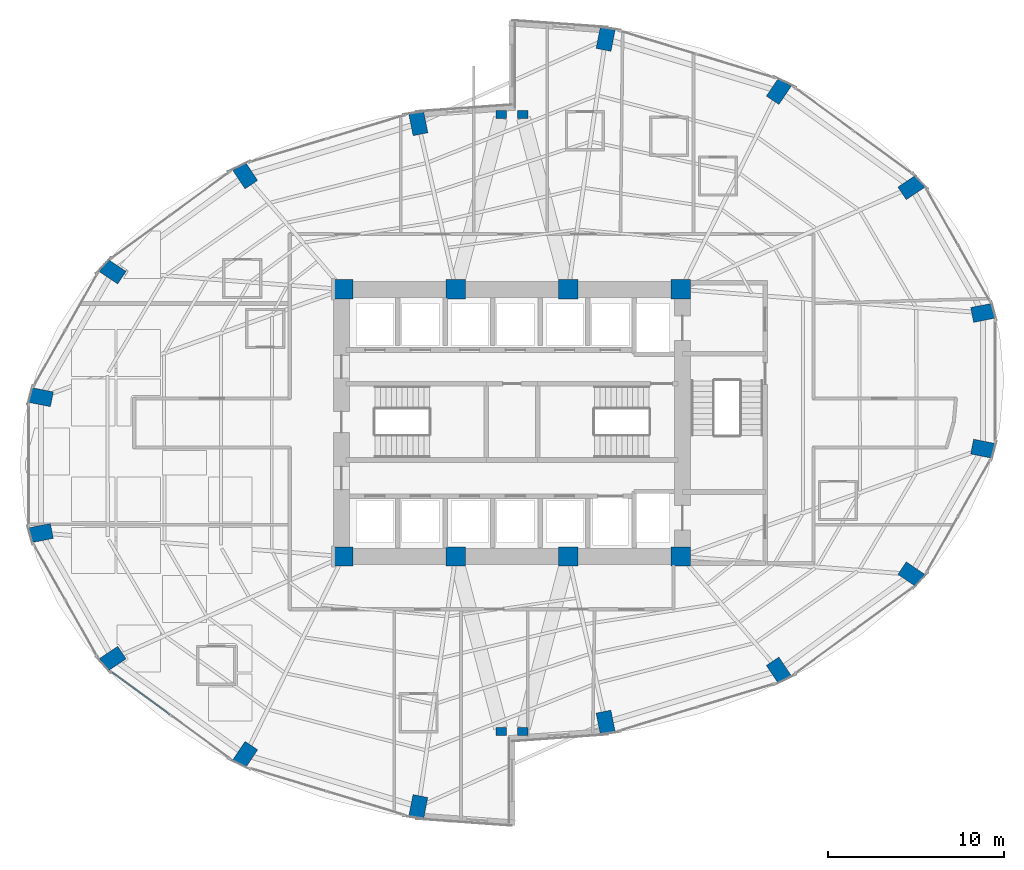
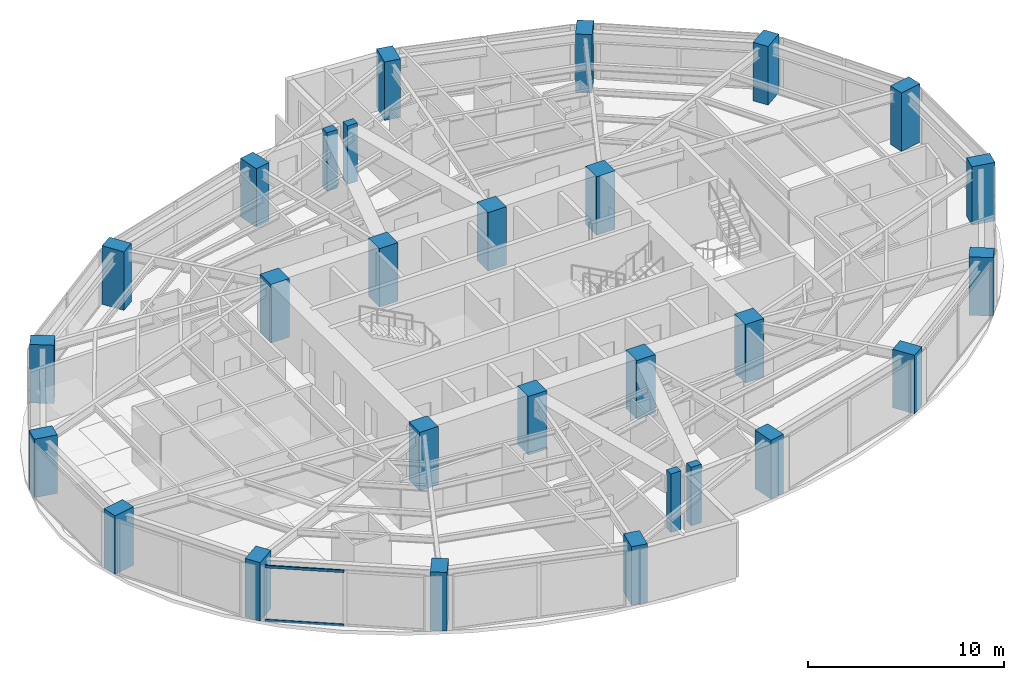
# One storey, part 1 of 25: 28 columns, 2 members, 1 element without a shape of its own.
"""IFC4 building model written with IfcOpenShell, lengths in metres."""

from ifc_helpers import new_model, si_unit, direction, frame, origin, origin_2d, place, context, subcontext, project, spatial, rectangle, hollow_rectangle, extrude, material, layer, layer_set, material_profile, profile_set, type_object, element, aggregate, save


model = new_model("IFC4")

# Units and contexts
model_context = context("Model", 3, precision=1e-05, world=origin(), true_north=direction((0.0, 1.0)))
body_context = subcontext(model_context, "Body", "Model", "MODEL_VIEW")
ifc_project = project(units=[si_unit("LENGTHUNIT", "METRE"), si_unit("AREAUNIT", "SQUARE_METRE"), si_unit("VOLUMEUNIT", "CUBIC_METRE"), si_unit("PLANEANGLEUNIT", "RADIAN"), si_unit("MASSUNIT", "GRAM", prefix="KILO")], contexts=[model_context])

# Site, building, storey
site_placement = place(None, origin())
site = spatial("IfcSite", under=ifc_project, at=site_placement, CompositionType="ELEMENT")
building_placement = place(site_placement, origin())
building = spatial("IfcBuilding", under=site, at=building_placement, Name="Lazwardi Medical Tower", CompositionType="ELEMENT")
storey_placement = place(building_placement, frame((0.0, 0.0, 28.847900390625)))
storey = spatial("IfcBuildingStorey", under=building, at=storey_placement, Name="L06", CompositionType="ELEMENT", Elevation=28.847900390625)

# Columns
ifc_material_1 = material(Name="Concrete C80/95", Category="concrete")
ifc_material_profile_1 = material_profile(ifc_material_1, rectangle(XDim=1.10009765625, YDim=1.10009765625, at=origin_2d()), Name="RC 1100x1100")
ifc_profile_set_1 = profile_set([ifc_material_profile_1], Name="Concrete C80/95")
column_type_1 = type_object("IfcColumnType", Name="COL-CC-L", PredefinedType="COLUMN", material=ifc_profile_set_1)
for number, where, z_axis, x_axis, name in (
    (1, (26.39990234375, 20.39990234375, 0.0), (0.0, 0.0, 1.0), (1.0, 0.0, 0.0), "Core column CC-01 CC1 L06"),
    (2, (32.800048828125, 20.39990234375, 0.0), (0.0, 0.0, 1.0), (1.0, 0.0, 0.0), "Core column CC-01 CC2 L06"),
    (3, (39.199951171875, 20.39990234375, 0.0), (0.0, 0.0, 1.0), (1.0, 0.0, 0.0), "Core column CC-01 CC3 L06"),
    (4, (45.60009765625, 20.39990234375, 0.0), (0.0, 0.0, 1.0), (1.0, 0.0, 0.0), "Core column CC-01 CC4 L06"),
    (5, (45.60009765625, 35.60009765625, 0.0), (0.0, 0.0, 1.0), (1.0, 0.0, 0.0), "Core column CC-01 CC5 L06"),
    (6, (39.199951171875, 35.60009765625, 0.0), (0.0, 0.0, 1.0), (1.0, 0.0, 0.0), "Core column CC-01 CC6 L06"),
    (7, (32.800048828125, 35.60009765625, 0.0), (0.0, 0.0, 1.0), (1.0, 0.0, 0.0), "Core column CC-01 CC7 L06"),
    (8, (26.39990234375, 35.60009765625, 0.0), (0.0, 0.0, 1.0), (1.0, 0.0, 0.0), "Core column CC-01 CC8 L06"),
):
    element("IfcColumn", number, at=place(storey_placement, frame(where, z_axis=z_axis, x_axis=x_axis)), inside=storey, type_object=column_type_1, Name=name, PredefinedType="COLUMN", context=body_context, shape_type="SweptSolid", body=[
        extrude(rectangle(XDim=1.10009765625, YDim=1.10009765625, at=origin_2d()), origin(), (0.0, 0.0, 1.0), 3.648193359375),
    ])
ifc_material_2 = material(Name="Concrete C70/85", Category="concrete")
ifc_material_profile_2 = material_profile(ifc_material_2, rectangle(XDim=1.25, YDim=0.860107421875, at=origin_2d()), Name="CFT-RECT 1250x860")
ifc_profile_set_2 = profile_set([ifc_material_profile_2], Name="Concrete C70/85")
column_type_2 = type_object("IfcColumnType", Name="COL-MC-Z1", PredefinedType="COLUMN", material=ifc_profile_set_2)
for number, where, z_axis, x_axis, name in (
    (9, (41.330810546875, 10.955810546875, 0.0), (0.0, 0.0, 1.0), (0.195090322016, -0.980785280403, 0.0), "Mega column MC-03 M01 L06"),
    (10, (51.180908203125, 13.916015625, 0.0), (0.0, 0.0, 1.0), (0.55557023302, -0.831469612303, 0.0), "Mega column MC-03 M02 L06"),
    (11, (58.719970703125, 19.3857421875, 0.0), (0.0, 0.0, 1.0), (0.831469612303, -0.55557023302, 0.0), "Mega column MC-03 M03 L06"),
    (12, (62.800048828125, 26.5322265625, 0.0), (0.0, 0.0, 1.0), (0.980785280403, -0.195090322016, 0.0), "Mega column MC-03 M04 L06"),
    (13, (62.800048828125, 34.267578125, 0.0), (0.0, 0.0, 1.0), (0.980785280403, 0.195090322016, 0.0), "Mega column MC-03 M05 L06"),
    (14, (58.719970703125, 41.414306640625, 0.0), (0.0, 0.0, 1.0), (0.831469612303, 0.55557023302, 0.0), "Mega column MC-03 M06 L06"),
    (15, (51.180908203125, 46.8837890625, 0.0), (0.0, 0.0, 1.0), (0.55557023302, 0.831469612303, 0.0), "Mega column MC-03 M07 L06"),
    (16, (41.330810546875, 49.843994140625, 0.0), (0.0, 0.0, 1.0), (0.195090322016, 0.980785280403, 0.0), "Mega column MC-03 M08 L06"),
    (17, (30.669189453125, 45.044189453125, 0.0), (0.0, 0.0, 1.0), (-0.195090322016, 0.980785280403, 0.0), "Mega column MC-03 M09 L06"),
    (18, (20.819091796875, 42.083984375, 0.0), (0.0, 0.0, 1.0), (-0.55557023302, 0.831469612303, 0.0), "Mega column MC-03 M10 L06"),
    (19, (13.280029296875, 36.6142578125, 0.0), (0.0, 0.0, 1.0), (-0.831469612303, 0.55557023302, 0.0), "Mega column MC-03 M11 L06"),
    (20, (9.199951171875, 29.4677734375, 0.0), (0.0, 0.0, 1.0), (-0.980785280403, 0.195090322016, 0.0), "Mega column MC-03 M12 L06"),
    (21, (9.199951171875, 21.732421875, 0.0), (0.0, 0.0, 1.0), (-0.980785280403, -0.195090322016, 0.0), "Mega column MC-03 M13 L06"),
    (22, (13.280029296875, 14.585693359375, 0.0), (0.0, 0.0, 1.0), (-0.831469612303, -0.55557023302, 0.0), "Mega column MC-03 M14 L06"),
    (23, (20.819091796875, 9.1162109375, 0.0), (0.0, 0.0, 1.0), (-0.55557023302, -0.831469612303, 0.0), "Mega column MC-03 M15 L06"),
    (24, (30.669189453125, 6.156005859375, 0.0), (0.0, 0.0, 1.0), (-0.195090322016, -0.980785280403, 0.0), "Mega column MC-03 M16 L06"),
):
    element("IfcColumn", number, at=place(storey_placement, frame(where, z_axis=z_axis, x_axis=x_axis)), inside=storey, type_object=column_type_2, Name=name, PredefinedType="COLUMN", context=body_context, shape_type="SweptSolid", body=[
        extrude(rectangle(XDim=1.25, YDim=0.860107421875, at=origin_2d()), origin(), (0.0, 0.0, 1.0), 3.648193359375),
    ])
ifc_material_3 = material(Name="Concrete C60/75", Category="concrete")
ifc_material_profile_3 = material_profile(ifc_material_3, rectangle(XDim=0.60009765625, YDim=0.449951171875, at=origin_2d()), Name="RC 600x450")
ifc_profile_set_3 = profile_set([ifc_material_profile_3], Name="Concrete C60/75")
column_type_3 = type_object("IfcColumnType", Name="COL-PL-IW", PredefinedType="PILASTER", material=ifc_profile_set_3)
for number, where, z_axis, x_axis, name in (
    (25, (35.39990234375, 45.550048828125, 0.0), (0.0, 0.0, 1.0), (1.0, 0.0, 0.0), "Iwan pilaster column PL-C1 PL1 L06"),
    (26, (36.60009765625, 45.550048828125, 0.0), (0.0, 0.0, 1.0), (1.0, 0.0, 0.0), "Iwan pilaster column PL-C1 PL2 L06"),
    (27, (35.39990234375, 10.449951171875, 0.0), (0.0, 0.0, 1.0), (1.0, 0.0, 0.0), "Iwan pilaster column PL-C1 PL3 L06"),
    (28, (36.60009765625, 10.449951171875, 0.0), (0.0, 0.0, 1.0), (1.0, 0.0, 0.0), "Iwan pilaster column PL-C1 PL4 L06"),
):
    element("IfcColumn", number, at=place(storey_placement, frame(where, z_axis=z_axis, x_axis=x_axis)), inside=storey, type_object=column_type_3, Name=name, PredefinedType="PILASTER", context=body_context, shape_type="SweptSolid", body=[
        extrude(rectangle(XDim=0.60009765625, YDim=0.449951171875, at=origin_2d()), origin(), (0.0, 0.0, 1.0), 3.648193359375),
    ])

# Curtain wall, members
ifc_material_4 = material(Name="Anodised bronze aluminium and solar control glazing", Category="aluminium")
ifc_layer = layer(ifc_material_4, 0.199951171875)
ifc_layer_set = layer_set([ifc_layer], Name="Anodised bronze aluminium and solar control glazing")
curtain_wall_type = type_object("IfcCurtainWallType", Name="CW-SYS-02", PredefinedType="NOTDEFINED", material=ifc_layer_set)
curtain_wall_placement = place(storey_placement, origin())
curtain_wall = element("IfcCurtainWall", 29, at=curtain_wall_placement, inside=storey, type_object=curtain_wall_type, Name="L06 Unitised bronze curtain wall CW-02", PredefinedType="NOTDEFINED")
ifc_material_5 = material(Name="Anodised bronze aluminium", Category="aluminium")
ifc_material_profile_4 = material_profile(ifc_material_5, hollow_rectangle(XDim=0.074951171875, YDim=0.159912109375, WallThickness=0.00390625, at=origin_2d()), Name="ALU-TRANSOM 160x75x4")
ifc_profile_set_4 = profile_set([ifc_material_profile_4], Name="Anodised bronze aluminium")
member_type = type_object("IfcMemberType", Name="CW-TRN-01", PredefinedType="USERDEFINED", material=ifc_profile_set_4)
member_1_placement = place(storey_placement, frame((13.239990234375, 13.805419921875, 0.03759765625), z_axis=(0.807189956199, -0.590291770748, 0.0), x_axis=(0.590291770748, 0.807189956199, 0.0)))
member_1 = element("IfcMember", 30, at=member_1_placement, type_object=member_type, Name="CW-02 transom 1.1", ObjectType="TRANSOM", PredefinedType="USERDEFINED", context=body_context, shape_type="SweptSolid", body=[
    extrude(hollow_rectangle(XDim=0.074951171875, YDim=0.159912109375, WallThickness=0.00390625, at=origin_2d()), origin(), (0.0, 0.0, 1.0), 4.070068359375),
])
member_2_placement = place(storey_placement, frame((13.239990234375, 13.805419921875, 3.390625), z_axis=(0.807189956199, -0.590291770748, 0.0), x_axis=(0.590291770748, 0.807189956199, 0.0)))
member_2 = element("IfcMember", 31, at=member_2_placement, type_object=member_type, Name="CW-02 transom 1.2", ObjectType="TRANSOM", PredefinedType="USERDEFINED", context=body_context, shape_type="SweptSolid", body=[
    extrude(hollow_rectangle(XDim=0.074951171875, YDim=0.159912109375, WallThickness=0.00390625, at=origin_2d()), origin(), (0.0, 0.0, 1.0), 4.070068359375),
])
aggregate(curtain_wall, [member_1, member_2])

save(model, "model.ifc")
